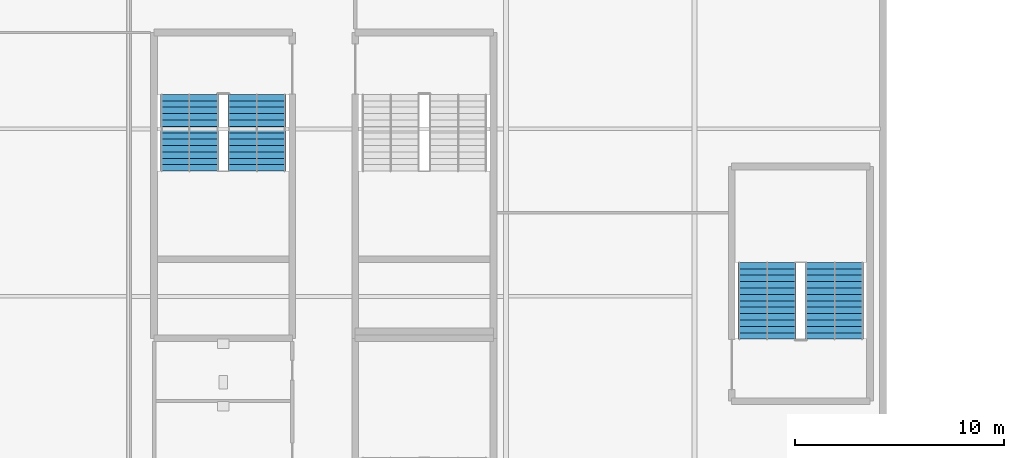
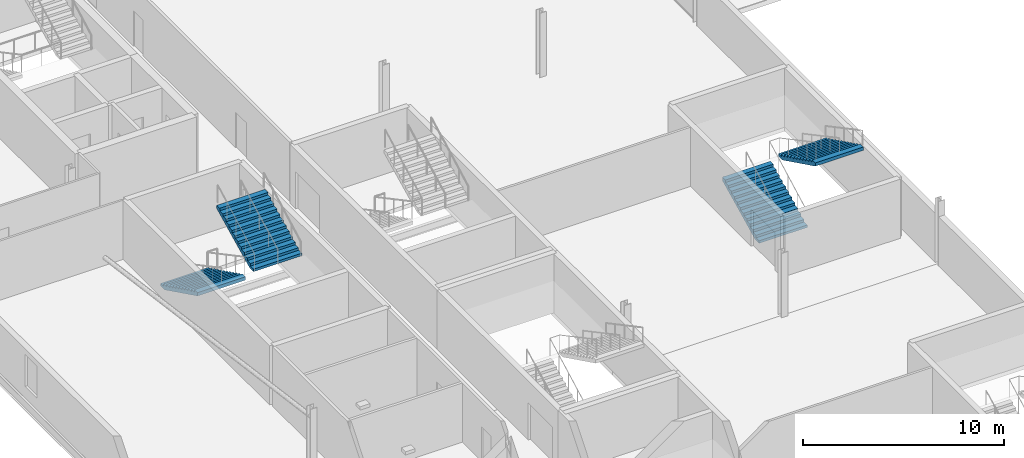
# One storey, part 91 of 105: 4 stair flights, 2 elements without a shape of their own.
"""IFC4 building model written with IfcOpenShell, lengths in metres."""

from ifc_helpers import new_model, si_unit, direction, frame, origin, place, context, subcontext, project, spatial, polygons, material, type_object, element, aggregate, save


model = new_model("IFC4")

# Units and contexts
model_context = context("Model", 3, precision=1e-05, world=origin(), true_north=direction((0.0, 1.0)))
body_context = subcontext(model_context, "Body", "Model", "MODEL_VIEW")
ifc_project = project(units=[si_unit("LENGTHUNIT", "METRE"), si_unit("AREAUNIT", "SQUARE_METRE"), si_unit("VOLUMEUNIT", "CUBIC_METRE"), si_unit("PLANEANGLEUNIT", "RADIAN"), si_unit("MASSUNIT", "GRAM", prefix="KILO")], contexts=[model_context])

# Site, building, storey
site_placement = place(None, origin())
site = spatial("IfcSite", under=ifc_project, at=site_placement, CompositionType="ELEMENT")
building_placement = place(site_placement, origin())
building = spatial("IfcBuilding", under=site, at=building_placement, Name="Kisiwana Market Hall", CompositionType="ELEMENT")
storey_placement = place(building_placement, frame((0.0, 0.0, 21.60009765625)))
storey = spatial("IfcBuildingStorey", under=building, at=storey_placement, Name="L04", CompositionType="ELEMENT", Elevation=21.60009765625)

# Stair, stair flights
ifc_material_1 = material(Name="Concrete C32/40", Category="concrete")
stair_type = type_object("IfcStairType", Name="ST-ESC-3900", PredefinedType="TWO_STRAIGHT_RUN_STAIR", material=ifc_material_1)
stair_1_placement = place(storey_placement, origin())
stair_1 = element("IfcStair", 1, at=stair_1_placement, inside=storey, type_object=stair_type, Name="Escape stair ST-W4-L04", PredefinedType="TWO_STRAIGHT_RUN_STAIR")
ifc_material_2 = material(Name="Concrete C32/40", Category="concrete")
stair_flight_type = type_object("IfcStairFlightType", Name="SF-ESC-3900", PredefinedType="STRAIGHT", material=ifc_material_2)
stair_flight_1_placement = place(storey_placement, frame((11.889892578125, 77.639892578125, 0.0), z_axis=(0.0, 0.0, 1.0), x_axis=(0.0, -1.0, 0.0)))
stair_flight_1 = element("IfcStairFlight", 2, at=stair_flight_1_placement, type_object=stair_flight_type, Name="ST-W4-L04 flight 1", NumberOfRisers=13, NumberOfTreads=12, PredefinedType="STRAIGHT", RiserHeight=0.15, TreadLength=0.305, context=body_context, shape_type="Tessellation", body=[
    polygons([(0.0, -1.380127, 0.0), (0.0, -0.690125, 0.0), (0.0, -0.000122, 0.0), (0.0, 0.68988, 0.0), (0.0, 1.379883, 0.0), (0.0, -1.380127, 0.149902), (0.0, -0.690125, 0.149902), (0.0, -0.000122, 0.149902), (0.0, 0.68988, 0.149902), (0.0, 1.379883, 0.149902), (0.304932, -1.380127, 0.149902), (0.304932, -0.690125, 0.149902), (0.304932, -0.000122, 0.149902), (0.304932, 0.68988, 0.149902), (0.304932, 1.379883, 0.149902), (0.304932, -1.380127, 0.300049), (0.304932, -0.690125, 0.300049), (0.304932, -0.000122, 0.300049), (0.304932, 0.68988, 0.300049), (0.304932, 1.379883, 0.300049), (0.610107, -1.380127, 0.300049), (0.610107, -0.690125, 0.300049), (0.610107, -0.000122, 0.300049), (0.610107, 0.68988, 0.300049), (0.610107, 1.379883, 0.300049), (0.610107, -1.380127, 0.449951), (0.610107, -0.690125, 0.449951), (0.610107, -0.000122, 0.449951), (0.610107, 0.68988, 0.449951), (0.610107, 1.379883, 0.449951), (0.915039, -1.380127, 0.449951), (0.915039, -0.690125, 0.449951), (0.915039, -0.000122, 0.449951), (0.915039, 0.68988, 0.449951), (0.915039, 1.379883, 0.449951), (0.915039, -1.380127, 0.600098), (0.915039, -0.690125, 0.600098), (0.915039, -0.000122, 0.600098), (0.915039, 0.68988, 0.600098), (0.915039, 1.379883, 0.600098), (1.219971, -1.380127, 0.600098), (1.219971, -0.690125, 0.600098), (1.219971, -0.000122, 0.600098), (1.219971, 0.68988, 0.600098), (1.219971, 1.379883, 0.600098), (1.219971, -1.380127, 0.75), (1.219971, -0.690125, 0.75), (1.219971, -0.000122, 0.75), (1.219971, 0.68988, 0.75), (1.219971, 1.379883, 0.75), (1.524902, -1.380127, 0.75), (1.524902, -0.690125, 0.75), (1.524902, -0.000122, 0.75), (1.524902, 0.68988, 0.75), (1.524902, 1.379883, 0.75), (1.524902, -1.380127, 0.899902), (1.524902, -0.690125, 0.899902), (1.524902, -0.000122, 0.899902), (1.524902, 0.68988, 0.899902), (1.524902, 1.379883, 0.899902), (1.830078, -1.380127, 0.899902), (1.830078, -0.690125, 0.899902), (1.830078, -0.000122, 0.899902), (1.830078, 0.68988, 0.899902), (1.830078, 1.379883, 0.899902), (1.830078, -1.380127, 1.050049), (1.830078, -0.690125, 1.050049), (1.830078, -0.000122, 1.050049), (1.830078, 0.68988, 1.050049), (1.830078, 1.379883, 1.050049), (2.13501, -1.380127, 1.050049), (2.13501, -0.690125, 1.050049), (2.13501, -0.000122, 1.050049), (2.13501, 0.68988, 1.050049), (2.13501, 1.379883, 1.050049), (2.13501, -1.380127, 1.199951), (2.13501, -0.690125, 1.199951), (2.13501, -0.000122, 1.199951), (2.13501, 0.68988, 1.199951), (2.13501, 1.379883, 1.199951), (2.439941, -1.380127, 1.199951), (2.439941, -0.690125, 1.199951), (2.439941, -0.000122, 1.199951), (2.439941, 0.68988, 1.199951), (2.439941, 1.379883, 1.199951), (2.439941, -1.380127, 1.350098), (2.439941, -0.690125, 1.350098), (2.439941, -0.000122, 1.350098), (2.439941, 0.68988, 1.350098), (2.439941, 1.379883, 1.350098), (2.745117, -1.380127, 1.350098), (2.745117, -0.690125, 1.350098), (2.745117, -0.000122, 1.350098), (2.745117, 0.68988, 1.350098), (2.745117, 1.379883, 1.350098), (2.745117, -1.380127, 1.5), (2.745117, -0.690125, 1.5), (2.745117, -0.000122, 1.5), (2.745117, 0.68988, 1.5), (2.745117, 1.379883, 1.5), (3.050049, -1.380127, 1.5), (3.050049, -0.690125, 1.5), (3.050049, -0.000122, 1.5), (3.050049, 0.68988, 1.5), (3.050049, 1.379883, 1.5), (3.050049, -1.380127, 1.649902), (3.050049, -0.690125, 1.649902), (3.050049, -0.000122, 1.649902), (3.050049, 0.68988, 1.649902), (3.050049, 1.379883, 1.649902), (3.35498, -1.380127, 1.649902), (3.35498, -0.690125, 1.649902), (3.35498, -0.000122, 1.649902), (3.35498, 0.68988, 1.649902), (3.35498, 1.379883, 1.649902), (3.35498, -1.380127, 1.800049), (3.35498, -0.690125, 1.800049), (3.35498, -0.000122, 1.800049), (3.35498, 0.68988, 1.800049), (3.35498, 1.379883, 1.800049), (3.659912, -1.380127, 1.800049), (3.659912, -0.690125, 1.800049), (3.659912, -0.000122, 1.800049), (3.659912, 0.68988, 1.800049), (3.659912, 1.379883, 1.800049), (3.659912, -1.380127, 1.599365), (3.659912, -0.690125, 1.599365), (3.659912, -0.000122, 1.599365), (3.659912, 0.68988, 1.599365), (3.659912, 1.379883, 1.599365), (0.407715, -1.380127, 0.0), (0.407715, -0.690125, 0.0), (0.407715, -0.000122, 0.0), (0.407715, 0.68988, 0.0), (0.407715, 1.379883, 0.0)], [[[1, 6, 7, 2]], [[2, 7, 8, 3]], [[3, 8, 9, 4]], [[4, 9, 10, 5]], [[6, 11, 12, 7]], [[7, 12, 13, 8]], [[8, 13, 14, 9]], [[9, 14, 15, 10]], [[11, 16, 17, 12]], [[12, 17, 18, 13]], [[13, 18, 19, 14]], [[14, 19, 20, 15]], [[16, 21, 22, 17]], [[17, 22, 23, 18]], [[18, 23, 24, 19]], [[19, 24, 25, 20]], [[21, 26, 27, 22]], [[22, 27, 28, 23]], [[23, 28, 29, 24]], [[24, 29, 30, 25]], [[26, 31, 32, 27]], [[27, 32, 33, 28]], [[28, 33, 34, 29]], [[29, 34, 35, 30]], [[31, 36, 37, 32]], [[32, 37, 38, 33]], [[33, 38, 39, 34]], [[34, 39, 40, 35]], [[36, 41, 42, 37]], [[37, 42, 43, 38]], [[38, 43, 44, 39]], [[39, 44, 45, 40]], [[41, 46, 47, 42]], [[42, 47, 48, 43]], [[43, 48, 49, 44]], [[44, 49, 50, 45]], [[46, 51, 52, 47]], [[47, 52, 53, 48]], [[48, 53, 54, 49]], [[49, 54, 55, 50]], [[51, 56, 57, 52]], [[52, 57, 58, 53]], [[53, 58, 59, 54]], [[54, 59, 60, 55]], [[56, 61, 62, 57]], [[57, 62, 63, 58]], [[58, 63, 64, 59]], [[59, 64, 65, 60]], [[61, 66, 67, 62]], [[62, 67, 68, 63]], [[63, 68, 69, 64]], [[64, 69, 70, 65]], [[66, 71, 72, 67]], [[67, 72, 73, 68]], [[68, 73, 74, 69]], [[69, 74, 75, 70]], [[71, 76, 77, 72]], [[72, 77, 78, 73]], [[73, 78, 79, 74]], [[74, 79, 80, 75]], [[76, 81, 82, 77]], [[77, 82, 83, 78]], [[78, 83, 84, 79]], [[79, 84, 85, 80]], [[81, 86, 87, 82]], [[82, 87, 88, 83]], [[83, 88, 89, 84]], [[84, 89, 90, 85]], [[86, 91, 92, 87]], [[87, 92, 93, 88]], [[88, 93, 94, 89]], [[89, 94, 95, 90]], [[91, 96, 97, 92]], [[92, 97, 98, 93]], [[93, 98, 99, 94]], [[94, 99, 100, 95]], [[96, 101, 102, 97]], [[97, 102, 103, 98]], [[98, 103, 104, 99]], [[99, 104, 105, 100]], [[101, 106, 107, 102]], [[102, 107, 108, 103]], [[103, 108, 109, 104]], [[104, 109, 110, 105]], [[106, 111, 112, 107]], [[107, 112, 113, 108]], [[108, 113, 114, 109]], [[109, 114, 115, 110]], [[111, 116, 117, 112]], [[112, 117, 118, 113]], [[113, 118, 119, 114]], [[114, 119, 120, 115]], [[116, 121, 122, 117]], [[117, 122, 123, 118]], [[118, 123, 124, 119]], [[119, 124, 125, 120]], [[121, 126, 127, 122]], [[122, 127, 128, 123]], [[123, 128, 129, 124]], [[124, 129, 130, 125]], [[126, 131, 132, 127]], [[127, 132, 133, 128]], [[128, 133, 134, 129]], [[129, 134, 135, 130]], [[131, 1, 2, 132]], [[132, 2, 3, 133]], [[133, 3, 4, 134]], [[134, 4, 5, 135]], [[131, 126, 121, 116, 111, 106, 101, 96, 91, 86, 81, 76, 71, 66, 61, 56, 51, 46, 41, 36, 31, 26, 21, 16, 11, 6, 1]], [[5, 10, 15, 20, 25, 30, 35, 40, 45, 50, 55, 60, 65, 70, 75, 80, 85, 90, 95, 100, 105, 110, 115, 120, 125, 130, 135]]], closed=True),
])
stair_flight_2_placement = place(storey_placement, frame((15.110107421875, 73.97998046875, 1.949951171875), z_axis=(0.0, 0.0, 1.0), x_axis=(0.0, 1.0, 0.0)))
stair_flight_2 = element("IfcStairFlight", 3, at=stair_flight_2_placement, type_object=stair_flight_type, Name="ST-W4-L04 flight 2", NumberOfRisers=13, NumberOfTreads=12, PredefinedType="STRAIGHT", RiserHeight=0.15, TreadLength=0.305, context=body_context, shape_type="Tessellation", body=[
    polygons([(0.0, -1.380127, 0.0), (0.0, -0.690125, 0.0), (0.0, -0.000122, 0.0), (0.0, 0.68988, 0.0), (0.0, 1.379883, 0.0), (0.0, -1.380127, 0.149902), (0.0, -0.690125, 0.149902), (0.0, -0.000122, 0.149902), (0.0, 0.68988, 0.149902), (0.0, 1.379883, 0.149902), (0.304932, -1.380127, 0.149902), (0.304932, -0.690125, 0.149902), (0.304932, -0.000122, 0.149902), (0.304932, 0.68988, 0.149902), (0.304932, 1.379883, 0.149902), (0.304932, -1.380127, 0.300049), (0.304932, -0.690125, 0.300049), (0.304932, -0.000122, 0.300049), (0.304932, 0.68988, 0.300049), (0.304932, 1.379883, 0.300049), (0.610107, -1.380127, 0.300049), (0.610107, -0.690125, 0.300049), (0.610107, -0.000122, 0.300049), (0.610107, 0.68988, 0.300049), (0.610107, 1.379883, 0.300049), (0.610107, -1.380127, 0.449951), (0.610107, -0.690125, 0.449951), (0.610107, -0.000122, 0.449951), (0.610107, 0.68988, 0.449951), (0.610107, 1.379883, 0.449951), (0.915039, -1.380127, 0.449951), (0.915039, -0.690125, 0.449951), (0.915039, -0.000122, 0.449951), (0.915039, 0.68988, 0.449951), (0.915039, 1.379883, 0.449951), (0.915039, -1.380127, 0.600098), (0.915039, -0.690125, 0.600098), (0.915039, -0.000122, 0.600098), (0.915039, 0.68988, 0.600098), (0.915039, 1.379883, 0.600098), (1.219971, -1.380127, 0.600098), (1.219971, -0.690125, 0.600098), (1.219971, -0.000122, 0.600098), (1.219971, 0.68988, 0.600098), (1.219971, 1.379883, 0.600098), (1.219971, -1.380127, 0.75), (1.219971, -0.690125, 0.75), (1.219971, -0.000122, 0.75), (1.219971, 0.68988, 0.75), (1.219971, 1.379883, 0.75), (1.524902, -1.380127, 0.75), (1.524902, -0.690125, 0.75), (1.524902, -0.000122, 0.75), (1.524902, 0.68988, 0.75), (1.524902, 1.379883, 0.75), (1.524902, -1.380127, 0.899902), (1.524902, -0.690125, 0.899902), (1.524902, -0.000122, 0.899902), (1.524902, 0.68988, 0.899902), (1.524902, 1.379883, 0.899902), (1.830078, -1.380127, 0.899902), (1.830078, -0.690125, 0.899902), (1.830078, -0.000122, 0.899902), (1.830078, 0.68988, 0.899902), (1.830078, 1.379883, 0.899902), (1.830078, -1.380127, 1.050049), (1.830078, -0.690125, 1.050049), (1.830078, -0.000122, 1.050049), (1.830078, 0.68988, 1.050049), (1.830078, 1.379883, 1.050049), (2.13501, -1.380127, 1.050049), (2.13501, -0.690125, 1.050049), (2.13501, -0.000122, 1.050049), (2.13501, 0.68988, 1.050049), (2.13501, 1.379883, 1.050049), (2.13501, -1.380127, 1.199951), (2.13501, -0.690125, 1.199951), (2.13501, -0.000122, 1.199951), (2.13501, 0.68988, 1.199951), (2.13501, 1.379883, 1.199951), (2.439941, -1.380127, 1.199951), (2.439941, -0.690125, 1.199951), (2.439941, -0.000122, 1.199951), (2.439941, 0.68988, 1.199951), (2.439941, 1.379883, 1.199951), (2.439941, -1.380127, 1.350098), (2.439941, -0.690125, 1.350098), (2.439941, -0.000122, 1.350098), (2.439941, 0.68988, 1.350098), (2.439941, 1.379883, 1.350098), (2.745117, -1.380127, 1.350098), (2.745117, -0.690125, 1.350098), (2.745117, -0.000122, 1.350098), (2.745117, 0.68988, 1.350098), (2.745117, 1.379883, 1.350098), (2.745117, -1.380127, 1.5), (2.745117, -0.690125, 1.5), (2.745117, -0.000122, 1.5), (2.745117, 0.68988, 1.5), (2.745117, 1.379883, 1.5), (3.050049, -1.380127, 1.5), (3.050049, -0.690125, 1.5), (3.050049, -0.000122, 1.5), (3.050049, 0.68988, 1.5), (3.050049, 1.379883, 1.5), (3.050049, -1.380127, 1.649902), (3.050049, -0.690125, 1.649902), (3.050049, -0.000122, 1.649902), (3.050049, 0.68988, 1.649902), (3.050049, 1.379883, 1.649902), (3.35498, -1.380127, 1.649902), (3.35498, -0.690125, 1.649902), (3.35498, -0.000122, 1.649902), (3.35498, 0.68988, 1.649902), (3.35498, 1.379883, 1.649902), (3.35498, -1.380127, 1.800049), (3.35498, -0.690125, 1.800049), (3.35498, -0.000122, 1.800049), (3.35498, 0.68988, 1.800049), (3.35498, 1.379883, 1.800049), (3.659912, -1.380127, 1.800049), (3.659912, -0.690125, 1.800049), (3.659912, -0.000122, 1.800049), (3.659912, 0.68988, 1.800049), (3.659912, 1.379883, 1.800049), (3.659912, -1.380127, 1.599365), (3.659912, -0.690125, 1.599365), (3.659912, -0.000122, 1.599365), (3.659912, 0.68988, 1.599365), (3.659912, 1.379883, 1.599365), (0.407715, -1.380127, 0.0), (0.407715, -0.690125, 0.0), (0.407715, -0.000122, 0.0), (0.407715, 0.68988, 0.0), (0.407715, 1.379883, 0.0)], [[[1, 6, 7, 2]], [[2, 7, 8, 3]], [[3, 8, 9, 4]], [[4, 9, 10, 5]], [[6, 11, 12, 7]], [[7, 12, 13, 8]], [[8, 13, 14, 9]], [[9, 14, 15, 10]], [[11, 16, 17, 12]], [[12, 17, 18, 13]], [[13, 18, 19, 14]], [[14, 19, 20, 15]], [[16, 21, 22, 17]], [[17, 22, 23, 18]], [[18, 23, 24, 19]], [[19, 24, 25, 20]], [[21, 26, 27, 22]], [[22, 27, 28, 23]], [[23, 28, 29, 24]], [[24, 29, 30, 25]], [[26, 31, 32, 27]], [[27, 32, 33, 28]], [[28, 33, 34, 29]], [[29, 34, 35, 30]], [[31, 36, 37, 32]], [[32, 37, 38, 33]], [[33, 38, 39, 34]], [[34, 39, 40, 35]], [[36, 41, 42, 37]], [[37, 42, 43, 38]], [[38, 43, 44, 39]], [[39, 44, 45, 40]], [[41, 46, 47, 42]], [[42, 47, 48, 43]], [[43, 48, 49, 44]], [[44, 49, 50, 45]], [[46, 51, 52, 47]], [[47, 52, 53, 48]], [[48, 53, 54, 49]], [[49, 54, 55, 50]], [[51, 56, 57, 52]], [[52, 57, 58, 53]], [[53, 58, 59, 54]], [[54, 59, 60, 55]], [[56, 61, 62, 57]], [[57, 62, 63, 58]], [[58, 63, 64, 59]], [[59, 64, 65, 60]], [[61, 66, 67, 62]], [[62, 67, 68, 63]], [[63, 68, 69, 64]], [[64, 69, 70, 65]], [[66, 71, 72, 67]], [[67, 72, 73, 68]], [[68, 73, 74, 69]], [[69, 74, 75, 70]], [[71, 76, 77, 72]], [[72, 77, 78, 73]], [[73, 78, 79, 74]], [[74, 79, 80, 75]], [[76, 81, 82, 77]], [[77, 82, 83, 78]], [[78, 83, 84, 79]], [[79, 84, 85, 80]], [[81, 86, 87, 82]], [[82, 87, 88, 83]], [[83, 88, 89, 84]], [[84, 89, 90, 85]], [[86, 91, 92, 87]], [[87, 92, 93, 88]], [[88, 93, 94, 89]], [[89, 94, 95, 90]], [[91, 96, 97, 92]], [[92, 97, 98, 93]], [[93, 98, 99, 94]], [[94, 99, 100, 95]], [[96, 101, 102, 97]], [[97, 102, 103, 98]], [[98, 103, 104, 99]], [[99, 104, 105, 100]], [[101, 106, 107, 102]], [[102, 107, 108, 103]], [[103, 108, 109, 104]], [[104, 109, 110, 105]], [[106, 111, 112, 107]], [[107, 112, 113, 108]], [[108, 113, 114, 109]], [[109, 114, 115, 110]], [[111, 116, 117, 112]], [[112, 117, 118, 113]], [[113, 118, 119, 114]], [[114, 119, 120, 115]], [[116, 121, 122, 117]], [[117, 122, 123, 118]], [[118, 123, 124, 119]], [[119, 124, 125, 120]], [[121, 126, 127, 122]], [[122, 127, 128, 123]], [[123, 128, 129, 124]], [[124, 129, 130, 125]], [[126, 131, 132, 127]], [[127, 132, 133, 128]], [[128, 133, 134, 129]], [[129, 134, 135, 130]], [[131, 1, 2, 132]], [[132, 2, 3, 133]], [[133, 3, 4, 134]], [[134, 4, 5, 135]], [[131, 126, 121, 116, 111, 106, 101, 96, 91, 86, 81, 76, 71, 66, 61, 56, 51, 46, 41, 36, 31, 26, 21, 16, 11, 6, 1]], [[5, 10, 15, 20, 25, 30, 35, 40, 45, 50, 55, 60, 65, 70, 75, 80, 85, 90, 95, 100, 105, 110, 115, 120, 125, 130, 135]]], closed=True),
])
aggregate(stair_1, [stair_flight_1, stair_flight_2])

stair_2_placement = place(storey_placement, origin())
stair_2 = element("IfcStair", 4, at=stair_2_placement, inside=storey, type_object=stair_type, Name="Escape stair ST-W10-L04", PredefinedType="TWO_STRAIGHT_RUN_STAIR")
stair_flight_3_placement = place(storey_placement, frame((39.4599609375, 65.9599609375, 0.0), z_axis=(0.0, 0.0, 1.0), x_axis=(0.0, 1.0, 0.0)))
stair_flight_3 = element("IfcStairFlight", 5, at=stair_flight_3_placement, type_object=stair_flight_type, Name="ST-W10-L04 flight 1", NumberOfRisers=13, NumberOfTreads=12, PredefinedType="STRAIGHT", RiserHeight=0.15, TreadLength=0.305, context=body_context, shape_type="Tessellation", body=[
    polygons([(0.0, -1.380127, 0.0), (0.0, -0.690125, 0.0), (0.0, -0.000122, 0.0), (0.0, 0.68988, 0.0), (0.0, 1.379883, 0.0), (0.0, -1.380127, 0.149902), (0.0, -0.690125, 0.149902), (0.0, -0.000122, 0.149902), (0.0, 0.68988, 0.149902), (0.0, 1.379883, 0.149902), (0.304932, -1.380127, 0.149902), (0.304932, -0.690125, 0.149902), (0.304932, -0.000122, 0.149902), (0.304932, 0.68988, 0.149902), (0.304932, 1.379883, 0.149902), (0.304932, -1.380127, 0.300049), (0.304932, -0.690125, 0.300049), (0.304932, -0.000122, 0.300049), (0.304932, 0.68988, 0.300049), (0.304932, 1.379883, 0.300049), (0.610107, -1.380127, 0.300049), (0.610107, -0.690125, 0.300049), (0.610107, -0.000122, 0.300049), (0.610107, 0.68988, 0.300049), (0.610107, 1.379883, 0.300049), (0.610107, -1.380127, 0.449951), (0.610107, -0.690125, 0.449951), (0.610107, -0.000122, 0.449951), (0.610107, 0.68988, 0.449951), (0.610107, 1.379883, 0.449951), (0.915039, -1.380127, 0.449951), (0.915039, -0.690125, 0.449951), (0.915039, -0.000122, 0.449951), (0.915039, 0.68988, 0.449951), (0.915039, 1.379883, 0.449951), (0.915039, -1.380127, 0.600098), (0.915039, -0.690125, 0.600098), (0.915039, -0.000122, 0.600098), (0.915039, 0.68988, 0.600098), (0.915039, 1.379883, 0.600098), (1.219971, -1.380127, 0.600098), (1.219971, -0.690125, 0.600098), (1.219971, -0.000122, 0.600098), (1.219971, 0.68988, 0.600098), (1.219971, 1.379883, 0.600098), (1.219971, -1.380127, 0.75), (1.219971, -0.690125, 0.75), (1.219971, -0.000122, 0.75), (1.219971, 0.68988, 0.75), (1.219971, 1.379883, 0.75), (1.524902, -1.380127, 0.75), (1.524902, -0.690125, 0.75), (1.524902, -0.000122, 0.75), (1.524902, 0.68988, 0.75), (1.524902, 1.379883, 0.75), (1.524902, -1.380127, 0.899902), (1.524902, -0.690125, 0.899902), (1.524902, -0.000122, 0.899902), (1.524902, 0.68988, 0.899902), (1.524902, 1.379883, 0.899902), (1.830078, -1.380127, 0.899902), (1.830078, -0.690125, 0.899902), (1.830078, -0.000122, 0.899902), (1.830078, 0.68988, 0.899902), (1.830078, 1.379883, 0.899902), (1.830078, -1.380127, 1.050049), (1.830078, -0.690125, 1.050049), (1.830078, -0.000122, 1.050049), (1.830078, 0.68988, 1.050049), (1.830078, 1.379883, 1.050049), (2.13501, -1.380127, 1.050049), (2.13501, -0.690125, 1.050049), (2.13501, -0.000122, 1.050049), (2.13501, 0.68988, 1.050049), (2.13501, 1.379883, 1.050049), (2.13501, -1.380127, 1.199951), (2.13501, -0.690125, 1.199951), (2.13501, -0.000122, 1.199951), (2.13501, 0.68988, 1.199951), (2.13501, 1.379883, 1.199951), (2.439941, -1.380127, 1.199951), (2.439941, -0.690125, 1.199951), (2.439941, -0.000122, 1.199951), (2.439941, 0.68988, 1.199951), (2.439941, 1.379883, 1.199951), (2.439941, -1.380127, 1.350098), (2.439941, -0.690125, 1.350098), (2.439941, -0.000122, 1.350098), (2.439941, 0.68988, 1.350098), (2.439941, 1.379883, 1.350098), (2.745117, -1.380127, 1.350098), (2.745117, -0.690125, 1.350098), (2.745117, -0.000122, 1.350098), (2.745117, 0.68988, 1.350098), (2.745117, 1.379883, 1.350098), (2.745117, -1.380127, 1.5), (2.745117, -0.690125, 1.5), (2.745117, -0.000122, 1.5), (2.745117, 0.68988, 1.5), (2.745117, 1.379883, 1.5), (3.050049, -1.380127, 1.5), (3.050049, -0.690125, 1.5), (3.050049, -0.000122, 1.5), (3.050049, 0.68988, 1.5), (3.050049, 1.379883, 1.5), (3.050049, -1.380127, 1.649902), (3.050049, -0.690125, 1.649902), (3.050049, -0.000122, 1.649902), (3.050049, 0.68988, 1.649902), (3.050049, 1.379883, 1.649902), (3.35498, -1.380127, 1.649902), (3.35498, -0.690125, 1.649902), (3.35498, -0.000122, 1.649902), (3.35498, 0.68988, 1.649902), (3.35498, 1.379883, 1.649902), (3.35498, -1.380127, 1.800049), (3.35498, -0.690125, 1.800049), (3.35498, -0.000122, 1.800049), (3.35498, 0.68988, 1.800049), (3.35498, 1.379883, 1.800049), (3.659912, -1.380127, 1.800049), (3.659912, -0.690125, 1.800049), (3.659912, -0.000122, 1.800049), (3.659912, 0.68988, 1.800049), (3.659912, 1.379883, 1.800049), (3.659912, -1.380127, 1.599365), (3.659912, -0.690125, 1.599365), (3.659912, -0.000122, 1.599365), (3.659912, 0.68988, 1.599365), (3.659912, 1.379883, 1.599365), (0.407715, -1.380127, 0.0), (0.407715, -0.690125, 0.0), (0.407715, -0.000122, 0.0), (0.407715, 0.68988, 0.0), (0.407715, 1.379883, 0.0)], [[[1, 6, 7, 2]], [[2, 7, 8, 3]], [[3, 8, 9, 4]], [[4, 9, 10, 5]], [[6, 11, 12, 7]], [[7, 12, 13, 8]], [[8, 13, 14, 9]], [[9, 14, 15, 10]], [[11, 16, 17, 12]], [[12, 17, 18, 13]], [[13, 18, 19, 14]], [[14, 19, 20, 15]], [[16, 21, 22, 17]], [[17, 22, 23, 18]], [[18, 23, 24, 19]], [[19, 24, 25, 20]], [[21, 26, 27, 22]], [[22, 27, 28, 23]], [[23, 28, 29, 24]], [[24, 29, 30, 25]], [[26, 31, 32, 27]], [[27, 32, 33, 28]], [[28, 33, 34, 29]], [[29, 34, 35, 30]], [[31, 36, 37, 32]], [[32, 37, 38, 33]], [[33, 38, 39, 34]], [[34, 39, 40, 35]], [[36, 41, 42, 37]], [[37, 42, 43, 38]], [[38, 43, 44, 39]], [[39, 44, 45, 40]], [[41, 46, 47, 42]], [[42, 47, 48, 43]], [[43, 48, 49, 44]], [[44, 49, 50, 45]], [[46, 51, 52, 47]], [[47, 52, 53, 48]], [[48, 53, 54, 49]], [[49, 54, 55, 50]], [[51, 56, 57, 52]], [[52, 57, 58, 53]], [[53, 58, 59, 54]], [[54, 59, 60, 55]], [[56, 61, 62, 57]], [[57, 62, 63, 58]], [[58, 63, 64, 59]], [[59, 64, 65, 60]], [[61, 66, 67, 62]], [[62, 67, 68, 63]], [[63, 68, 69, 64]], [[64, 69, 70, 65]], [[66, 71, 72, 67]], [[67, 72, 73, 68]], [[68, 73, 74, 69]], [[69, 74, 75, 70]], [[71, 76, 77, 72]], [[72, 77, 78, 73]], [[73, 78, 79, 74]], [[74, 79, 80, 75]], [[76, 81, 82, 77]], [[77, 82, 83, 78]], [[78, 83, 84, 79]], [[79, 84, 85, 80]], [[81, 86, 87, 82]], [[82, 87, 88, 83]], [[83, 88, 89, 84]], [[84, 89, 90, 85]], [[86, 91, 92, 87]], [[87, 92, 93, 88]], [[88, 93, 94, 89]], [[89, 94, 95, 90]], [[91, 96, 97, 92]], [[92, 97, 98, 93]], [[93, 98, 99, 94]], [[94, 99, 100, 95]], [[96, 101, 102, 97]], [[97, 102, 103, 98]], [[98, 103, 104, 99]], [[99, 104, 105, 100]], [[101, 106, 107, 102]], [[102, 107, 108, 103]], [[103, 108, 109, 104]], [[104, 109, 110, 105]], [[106, 111, 112, 107]], [[107, 112, 113, 108]], [[108, 113, 114, 109]], [[109, 114, 115, 110]], [[111, 116, 117, 112]], [[112, 117, 118, 113]], [[113, 118, 119, 114]], [[114, 119, 120, 115]], [[116, 121, 122, 117]], [[117, 122, 123, 118]], [[118, 123, 124, 119]], [[119, 124, 125, 120]], [[121, 126, 127, 122]], [[122, 127, 128, 123]], [[123, 128, 129, 124]], [[124, 129, 130, 125]], [[126, 131, 132, 127]], [[127, 132, 133, 128]], [[128, 133, 134, 129]], [[129, 134, 135, 130]], [[131, 1, 2, 132]], [[132, 2, 3, 133]], [[133, 3, 4, 134]], [[134, 4, 5, 135]], [[131, 126, 121, 116, 111, 106, 101, 96, 91, 86, 81, 76, 71, 66, 61, 56, 51, 46, 41, 36, 31, 26, 21, 16, 11, 6, 1]], [[5, 10, 15, 20, 25, 30, 35, 40, 45, 50, 55, 60, 65, 70, 75, 80, 85, 90, 95, 100, 105, 110, 115, 120, 125, 130, 135]]], closed=True),
])
stair_flight_4_placement = place(storey_placement, frame((42.679931640625, 69.6201171875, 1.949951171875), z_axis=(0.0, 0.0, 1.0), x_axis=(0.0, -1.0, 0.0)))
stair_flight_4 = element("IfcStairFlight", 6, at=stair_flight_4_placement, type_object=stair_flight_type, Name="ST-W10-L04 flight 2", NumberOfRisers=13, NumberOfTreads=12, PredefinedType="STRAIGHT", RiserHeight=0.15, TreadLength=0.305, context=body_context, shape_type="Tessellation", body=[
    polygons([(0.0, -1.380127, 0.0), (0.0, -0.690125, 0.0), (0.0, -0.000122, 0.0), (0.0, 0.68988, 0.0), (0.0, 1.379883, 0.0), (0.0, -1.380127, 0.149902), (0.0, -0.690125, 0.149902), (0.0, -0.000122, 0.149902), (0.0, 0.68988, 0.149902), (0.0, 1.379883, 0.149902), (0.304932, -1.380127, 0.149902), (0.304932, -0.690125, 0.149902), (0.304932, -0.000122, 0.149902), (0.304932, 0.68988, 0.149902), (0.304932, 1.379883, 0.149902), (0.304932, -1.380127, 0.300049), (0.304932, -0.690125, 0.300049), (0.304932, -0.000122, 0.300049), (0.304932, 0.68988, 0.300049), (0.304932, 1.379883, 0.300049), (0.610107, -1.380127, 0.300049), (0.610107, -0.690125, 0.300049), (0.610107, -0.000122, 0.300049), (0.610107, 0.68988, 0.300049), (0.610107, 1.379883, 0.300049), (0.610107, -1.380127, 0.449951), (0.610107, -0.690125, 0.449951), (0.610107, -0.000122, 0.449951), (0.610107, 0.68988, 0.449951), (0.610107, 1.379883, 0.449951), (0.915039, -1.380127, 0.449951), (0.915039, -0.690125, 0.449951), (0.915039, -0.000122, 0.449951), (0.915039, 0.68988, 0.449951), (0.915039, 1.379883, 0.449951), (0.915039, -1.380127, 0.600098), (0.915039, -0.690125, 0.600098), (0.915039, -0.000122, 0.600098), (0.915039, 0.68988, 0.600098), (0.915039, 1.379883, 0.600098), (1.219971, -1.380127, 0.600098), (1.219971, -0.690125, 0.600098), (1.219971, -0.000122, 0.600098), (1.219971, 0.68988, 0.600098), (1.219971, 1.379883, 0.600098), (1.219971, -1.380127, 0.75), (1.219971, -0.690125, 0.75), (1.219971, -0.000122, 0.75), (1.219971, 0.68988, 0.75), (1.219971, 1.379883, 0.75), (1.524902, -1.380127, 0.75), (1.524902, -0.690125, 0.75), (1.524902, -0.000122, 0.75), (1.524902, 0.68988, 0.75), (1.524902, 1.379883, 0.75), (1.524902, -1.380127, 0.899902), (1.524902, -0.690125, 0.899902), (1.524902, -0.000122, 0.899902), (1.524902, 0.68988, 0.899902), (1.524902, 1.379883, 0.899902), (1.830078, -1.380127, 0.899902), (1.830078, -0.690125, 0.899902), (1.830078, -0.000122, 0.899902), (1.830078, 0.68988, 0.899902), (1.830078, 1.379883, 0.899902), (1.830078, -1.380127, 1.050049), (1.830078, -0.690125, 1.050049), (1.830078, -0.000122, 1.050049), (1.830078, 0.68988, 1.050049), (1.830078, 1.379883, 1.050049), (2.13501, -1.380127, 1.050049), (2.13501, -0.690125, 1.050049), (2.13501, -0.000122, 1.050049), (2.13501, 0.68988, 1.050049), (2.13501, 1.379883, 1.050049), (2.13501, -1.380127, 1.199951), (2.13501, -0.690125, 1.199951), (2.13501, -0.000122, 1.199951), (2.13501, 0.68988, 1.199951), (2.13501, 1.379883, 1.199951), (2.439941, -1.380127, 1.199951), (2.439941, -0.690125, 1.199951), (2.439941, -0.000122, 1.199951), (2.439941, 0.68988, 1.199951), (2.439941, 1.379883, 1.199951), (2.439941, -1.380127, 1.350098), (2.439941, -0.690125, 1.350098), (2.439941, -0.000122, 1.350098), (2.439941, 0.68988, 1.350098), (2.439941, 1.379883, 1.350098), (2.745117, -1.380127, 1.350098), (2.745117, -0.690125, 1.350098), (2.745117, -0.000122, 1.350098), (2.745117, 0.68988, 1.350098), (2.745117, 1.379883, 1.350098), (2.745117, -1.380127, 1.5), (2.745117, -0.690125, 1.5), (2.745117, -0.000122, 1.5), (2.745117, 0.68988, 1.5), (2.745117, 1.379883, 1.5), (3.050049, -1.380127, 1.5), (3.050049, -0.690125, 1.5), (3.050049, -0.000122, 1.5), (3.050049, 0.68988, 1.5), (3.050049, 1.379883, 1.5), (3.050049, -1.380127, 1.649902), (3.050049, -0.690125, 1.649902), (3.050049, -0.000122, 1.649902), (3.050049, 0.68988, 1.649902), (3.050049, 1.379883, 1.649902), (3.35498, -1.380127, 1.649902), (3.35498, -0.690125, 1.649902), (3.35498, -0.000122, 1.649902), (3.35498, 0.68988, 1.649902), (3.35498, 1.379883, 1.649902), (3.35498, -1.380127, 1.800049), (3.35498, -0.690125, 1.800049), (3.35498, -0.000122, 1.800049), (3.35498, 0.68988, 1.800049), (3.35498, 1.379883, 1.800049), (3.659912, -1.380127, 1.800049), (3.659912, -0.690125, 1.800049), (3.659912, -0.000122, 1.800049), (3.659912, 0.68988, 1.800049), (3.659912, 1.379883, 1.800049), (3.659912, -1.380127, 1.599365), (3.659912, -0.690125, 1.599365), (3.659912, -0.000122, 1.599365), (3.659912, 0.68988, 1.599365), (3.659912, 1.379883, 1.599365), (0.407715, -1.380127, 0.0), (0.407715, -0.690125, 0.0), (0.407715, -0.000122, 0.0), (0.407715, 0.68988, 0.0), (0.407715, 1.379883, 0.0)], [[[1, 6, 7, 2]], [[2, 7, 8, 3]], [[3, 8, 9, 4]], [[4, 9, 10, 5]], [[6, 11, 12, 7]], [[7, 12, 13, 8]], [[8, 13, 14, 9]], [[9, 14, 15, 10]], [[11, 16, 17, 12]], [[12, 17, 18, 13]], [[13, 18, 19, 14]], [[14, 19, 20, 15]], [[16, 21, 22, 17]], [[17, 22, 23, 18]], [[18, 23, 24, 19]], [[19, 24, 25, 20]], [[21, 26, 27, 22]], [[22, 27, 28, 23]], [[23, 28, 29, 24]], [[24, 29, 30, 25]], [[26, 31, 32, 27]], [[27, 32, 33, 28]], [[28, 33, 34, 29]], [[29, 34, 35, 30]], [[31, 36, 37, 32]], [[32, 37, 38, 33]], [[33, 38, 39, 34]], [[34, 39, 40, 35]], [[36, 41, 42, 37]], [[37, 42, 43, 38]], [[38, 43, 44, 39]], [[39, 44, 45, 40]], [[41, 46, 47, 42]], [[42, 47, 48, 43]], [[43, 48, 49, 44]], [[44, 49, 50, 45]], [[46, 51, 52, 47]], [[47, 52, 53, 48]], [[48, 53, 54, 49]], [[49, 54, 55, 50]], [[51, 56, 57, 52]], [[52, 57, 58, 53]], [[53, 58, 59, 54]], [[54, 59, 60, 55]], [[56, 61, 62, 57]], [[57, 62, 63, 58]], [[58, 63, 64, 59]], [[59, 64, 65, 60]], [[61, 66, 67, 62]], [[62, 67, 68, 63]], [[63, 68, 69, 64]], [[64, 69, 70, 65]], [[66, 71, 72, 67]], [[67, 72, 73, 68]], [[68, 73, 74, 69]], [[69, 74, 75, 70]], [[71, 76, 77, 72]], [[72, 77, 78, 73]], [[73, 78, 79, 74]], [[74, 79, 80, 75]], [[76, 81, 82, 77]], [[77, 82, 83, 78]], [[78, 83, 84, 79]], [[79, 84, 85, 80]], [[81, 86, 87, 82]], [[82, 87, 88, 83]], [[83, 88, 89, 84]], [[84, 89, 90, 85]], [[86, 91, 92, 87]], [[87, 92, 93, 88]], [[88, 93, 94, 89]], [[89, 94, 95, 90]], [[91, 96, 97, 92]], [[92, 97, 98, 93]], [[93, 98, 99, 94]], [[94, 99, 100, 95]], [[96, 101, 102, 97]], [[97, 102, 103, 98]], [[98, 103, 104, 99]], [[99, 104, 105, 100]], [[101, 106, 107, 102]], [[102, 107, 108, 103]], [[103, 108, 109, 104]], [[104, 109, 110, 105]], [[106, 111, 112, 107]], [[107, 112, 113, 108]], [[108, 113, 114, 109]], [[109, 114, 115, 110]], [[111, 116, 117, 112]], [[112, 117, 118, 113]], [[113, 118, 119, 114]], [[114, 119, 120, 115]], [[116, 121, 122, 117]], [[117, 122, 123, 118]], [[118, 123, 124, 119]], [[119, 124, 125, 120]], [[121, 126, 127, 122]], [[122, 127, 128, 123]], [[123, 128, 129, 124]], [[124, 129, 130, 125]], [[126, 131, 132, 127]], [[127, 132, 133, 128]], [[128, 133, 134, 129]], [[129, 134, 135, 130]], [[131, 1, 2, 132]], [[132, 2, 3, 133]], [[133, 3, 4, 134]], [[134, 4, 5, 135]], [[131, 126, 121, 116, 111, 106, 101, 96, 91, 86, 81, 76, 71, 66, 61, 56, 51, 46, 41, 36, 31, 26, 21, 16, 11, 6, 1]], [[5, 10, 15, 20, 25, 30, 35, 40, 45, 50, 55, 60, 65, 70, 75, 80, 85, 90, 95, 100, 105, 110, 115, 120, 125, 130, 135]]], closed=True),
])
aggregate(stair_2, [stair_flight_3, stair_flight_4])

save(model, "model.ifc")
